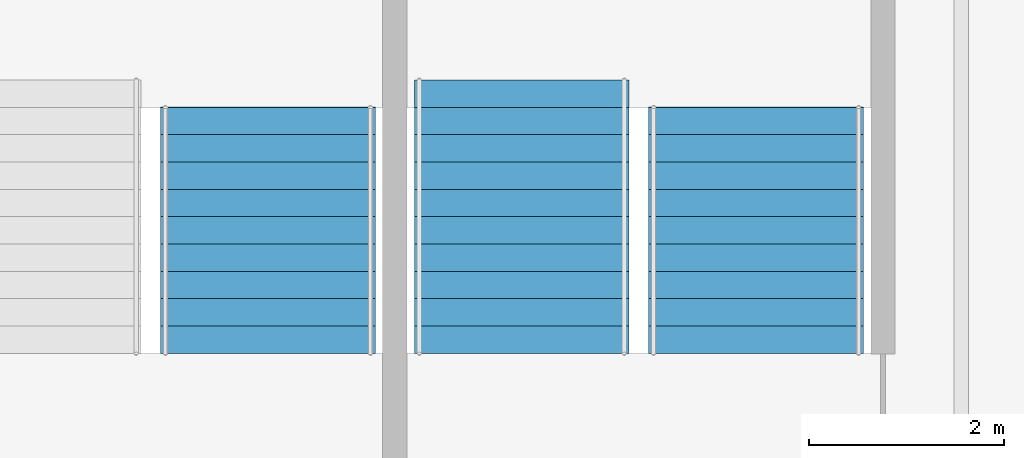
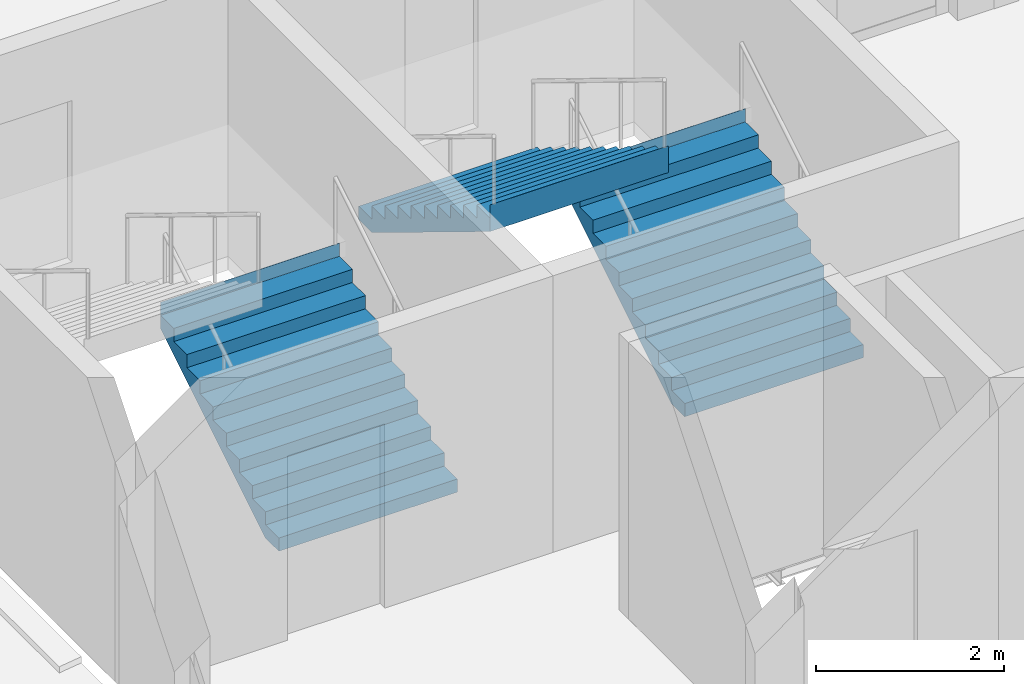
# One storey, part 95 of 143: 3 stair flights, 2 elements without a shape of their own.
"""IFC4 building model written with IfcOpenShell, lengths in metres."""

from ifc_helpers import new_model, si_unit, direction, frame, origin, place, context, subcontext, project, spatial, polyline, outline, extrude, material, type_object, element, aggregate, save


model = new_model("IFC4")

# Units and contexts
model_context = context("Model", 3, precision=1e-05, world=origin(), true_north=direction((0.0, 1.0)))
body_context = subcontext(model_context, "Body", "Model", "MODEL_VIEW")
ifc_project = project(units=[si_unit("LENGTHUNIT", "METRE"), si_unit("AREAUNIT", "SQUARE_METRE"), si_unit("VOLUMEUNIT", "CUBIC_METRE"), si_unit("PLANEANGLEUNIT", "RADIAN"), si_unit("MASSUNIT", "GRAM", prefix="KILO")], contexts=[model_context])

# Site, building, storey
site_placement = place(None, origin())
site = spatial("IfcSite", under=ifc_project, at=site_placement, CompositionType="ELEMENT")
building_placement = place(site_placement, origin())
building = spatial("IfcBuilding", under=site, at=building_placement, Name="Kupolbacken Congress Centre", CompositionType="ELEMENT")
storey_placement = place(building_placement, frame((0.0, 0.0, 7.199951171875)))
storey = spatial("IfcBuildingStorey", under=building, at=storey_placement, Name="L02", CompositionType="ELEMENT", Elevation=7.199951171875)

# Stair, stair flight
ifc_material_1 = material(Name="Concrete C30/37", Category="concrete")
stair_type = type_object("IfcStairType", Name="ST13 stair 2200", PredefinedType="TWO_STRAIGHT_RUN_STAIR", material=ifc_material_1)
stair_1_placement = place(storey_placement, origin())
stair_1 = element("IfcStair", 1, at=stair_1_placement, inside=storey, type_object=stair_type, Name="C/stair/PS1NW/L02", PredefinedType="NOTDEFINED")
ifc_material_2 = material(Name="Concrete C30/37", Category="concrete")
stair_flight_type_1 = type_object("IfcStairFlightType", Name="FL13 stair flight 2200 x 10 risers", PredefinedType="STRAIGHT", material=ifc_material_2)
stair_flight_1_placement = place(storey_placement, frame((10.89990234375, 117.2548828125, 0.0), z_axis=(0.0, 0.0, 1.0), x_axis=(0.0, 1.0, 0.0)))
stair_flight_1 = element("IfcStairFlight", 2, at=stair_flight_1_placement, type_object=stair_flight_type_1, Name="PS1NW flight 1", NumberOfRisers=10, NumberOfTreads=9, PredefinedType="STRAIGHT", RiserHeight=0.171428571, TreadLength=0.28, context=body_context, shape_type="SweptSolid", body=[
    extrude(outline(polyline([(0.0, 0.0), (0.0, 0.0009765625), (0.0, 0.002197265625), (0.0, 0.003173828125), (0.0, 0.004150390625), (0.0, 0.00537109375), (0.0, 0.00634765625), (0.0, 0.007568359375), (0.0, 0.008544921875), (0.0, 0.009521484375), (0.0, 0.0107421875), (0.0, 0.01171875), (0.0, 0.0126953125), (0.0, 0.013916015625), (0.0, 0.014892578125), (0.0, 0.015869140625), (0.0, 0.01708984375), (0.0, 0.01806640625), (0.0, 0.019287109375), (0.0, 0.020263671875), (0.0, 0.021240234375), (0.0, 0.0224609375), (0.0, 0.0234375), (0.0, 0.0244140625), (0.0, 0.025634765625), (0.0, 0.026611328125), (0.0, 0.027587890625), (0.0, 0.02880859375), (0.0, 0.02978515625), (0.0, 0.03076171875), (0.0, 0.031982421875), (0.0, 0.032958984375), (0.0, 0.0341796875), (0.0, 0.03515625), (0.0, 0.0361328125), (0.0, 0.037353515625), (0.0, 0.038330078125), (0.0, 0.039306640625), (0.0, 0.04052734375), (0.0, 0.04150390625), (0.0, 0.04248046875), (0.0, 0.043701171875), (0.0, 0.044677734375), (0.0, 0.0458984375), (0.0, 0.046875), (0.0, 0.0478515625), (0.0, 0.049072265625), (0.0, 0.050048828125), (0.0, 0.051025390625), (0.0, 0.05224609375), (0.0, 0.05322265625), (0.0, 0.05419921875), (0.0, 0.055419921875), (0.0, 0.056396484375), (0.0, 0.0576171875), (0.0, 0.05859375), (0.0, 0.0595703125), (0.0, 0.060791015625), (0.0, 0.061767578125), (0.0, 0.062744140625), (0.0, 0.06396484375), (0.0, 0.06494140625), (0.0, 0.06591796875), (0.0, 0.067138671875), (0.0, 0.068115234375), (0.0, 0.069091796875), (0.0, 0.0703125), (0.0, 0.0712890625), (0.0, 0.072509765625), (0.0, 0.073486328125), (0.0, 0.074462890625), (0.0, 0.07568359375), (0.0, 0.07666015625), (0.0, 0.07763671875), (0.0, 0.078857421875), (0.0, 0.079833984375), (0.0, 0.080810546875), (0.0, 0.08203125), (0.0, 0.0830078125), (0.0, 0.084228515625), (0.0, 0.085205078125), (0.0, 0.086181640625), (0.0, 0.08740234375), (0.0, 0.08837890625), (0.0, 0.08935546875), (0.0, 0.090576171875), (0.0, 0.091552734375), (0.0, 0.092529296875), (0.0, 0.09375), (0.0, 0.0947265625), (0.0, 0.095947265625), (0.0, 0.096923828125), (0.0, 0.097900390625), (0.0, 0.09912109375), (0.0, 0.10009765625), (0.0, 0.10107421875), (0.0, 0.102294921875), (0.0, 0.103271484375), (0.0, 0.104248046875), (0.0, 0.10546875), (0.0, 0.1064453125), (0.0, 0.107421875), (0.0, 0.108642578125), (0.0, 0.109619140625), (0.0, 0.11083984375), (0.0, 0.11181640625), (0.0, 0.11279296875), (0.0, 0.114013671875), (0.0, 0.114990234375), (0.0, 0.115966796875), (0.0, 0.1171875), (0.0, 0.1181640625), (0.0, 0.119140625), (0.0, 0.120361328125), (0.0, 0.121337890625), (0.0, 0.12255859375), (0.0, 0.12353515625), (0.0, 0.12451171875), (0.0, 0.125732421875), (0.0, 0.126708984375), (0.0, 0.127685546875), (0.0, 0.12890625), (0.0, 0.1298828125), (0.0, 0.130859375), (0.0, 0.132080078125), (0.0, 0.133056640625), (0.0, 0.13427734375), (0.0, 0.13525390625), (0.0, 0.13623046875), (0.0, 0.137451171875), (0.0, 0.138427734375), (0.0, 0.139404296875), (0.0, 0.140625), (0.0, 0.1416015625), (0.0, 0.142578125), (0.0, 0.143798828125), (0.0, 0.144775390625), (0.0, 0.145751953125), (0.0, 0.14697265625), (0.0, 0.14794921875), (0.0, 0.149169921875), (0.0, 0.150146484375), (0.0, 0.151123046875), (0.0, 0.15234375), (0.0, 0.1533203125), (0.0, 0.154296875), (0.0, 0.155517578125), (0.0, 0.156494140625), (0.0, 0.157470703125), (0.0, 0.15869140625), (0.0, 0.15966796875), (0.0, 0.160888671875), (0.0, 0.161865234375), (0.0, 0.162841796875), (0.0, 0.1640625), (0.0, 0.1650390625), (0.0, 0.166015625), (0.0, 0.167236328125), (0.0, 0.168212890625), (0.0, 0.169189453125), (0.0, 0.17041015625), (0.0, 0.17138671875), (0.280029296875, 0.17138671875), (0.280029296875, 0.3427734375), (0.56005859375, 0.3427734375), (0.56005859375, 0.514404296875), (0.840087890625, 0.514404296875), (0.840087890625, 0.685791015625), (1.1201171875, 0.685791015625), (1.1201171875, 0.857177734375), (1.39990234375, 0.857177734375), (1.39990234375, 1.028564453125), (1.679931640625, 1.028564453125), (1.679931640625, 1.199951171875), (1.9599609375, 1.199951171875), (1.9599609375, 1.371337890625), (2.239990234375, 1.371337890625), (2.239990234375, 1.54296875), (2.52001953125, 1.54296875), (2.52001953125, 1.71435546875), (2.52197265625, 1.71435546875), (2.52197265625, 1.712158203125), (2.52197265625, 1.7099609375), (2.52197265625, 1.707763671875), (2.52197265625, 1.70556640625), (2.52197265625, 1.70361328125), (2.52197265625, 1.701416015625), (2.52197265625, 1.69921875), (2.52197265625, 1.697021484375), (2.52197265625, 1.69482421875), (2.52197265625, 1.692626953125), (2.52197265625, 1.690673828125), (2.52197265625, 1.6884765625), (2.52197265625, 1.686279296875), (2.52197265625, 1.68408203125), (2.52197265625, 1.681884765625), (2.52197265625, 1.6796875), (2.52197265625, 1.677734375), (2.52197265625, 1.675537109375), (2.52197265625, 1.67333984375), (2.52197265625, 1.671142578125), (2.52197265625, 1.6689453125), (2.52197265625, 1.666748046875), (2.52197265625, 1.664794921875), (2.52197265625, 1.66259765625), (2.52197265625, 1.660400390625), (2.52197265625, 1.658203125), (2.52197265625, 1.656005859375), (2.52197265625, 1.65380859375), (2.52197265625, 1.65185546875), (2.52197265625, 1.649658203125), (2.52197265625, 1.6474609375), (2.52197265625, 1.645263671875), (2.52197265625, 1.64306640625), (2.52197265625, 1.640869140625), (2.52197265625, 1.638916015625), (2.52197265625, 1.63671875), (2.52197265625, 1.634521484375), (2.52197265625, 1.63232421875), (2.52197265625, 1.630126953125), (2.52197265625, 1.6279296875), (2.52197265625, 1.6259765625), (2.52197265625, 1.623779296875), (2.52197265625, 1.62158203125), (2.52197265625, 1.619384765625), (2.52197265625, 1.6171875), (2.52197265625, 1.614990234375), (2.52197265625, 1.613037109375), (2.52197265625, 1.61083984375), (2.52197265625, 1.608642578125), (2.52197265625, 1.6064453125), (2.52197265625, 1.604248046875), (2.52197265625, 1.60205078125), (2.52197265625, 1.60009765625), (2.52197265625, 1.597900390625), (2.52197265625, 1.595703125), (2.52197265625, 1.593505859375), (2.52197265625, 1.59130859375), (2.52197265625, 1.589111328125), (2.52197265625, 1.587158203125), (2.52197265625, 1.5849609375), (2.52197265625, 1.582763671875), (2.52197265625, 1.58056640625), (2.52197265625, 1.578369140625), (2.52197265625, 1.576171875), (2.52197265625, 1.57421875), (2.52197265625, 1.572021484375), (2.52197265625, 1.56982421875), (2.52197265625, 1.567626953125), (2.52197265625, 1.5654296875), (2.52197265625, 1.563232421875), (2.52197265625, 1.561279296875), (2.52197265625, 1.55908203125), (2.52197265625, 1.556884765625), (2.52197265625, 1.5546875), (2.52197265625, 1.552490234375), (2.52197265625, 1.55029296875), (2.52197265625, 1.54833984375), (2.52197265625, 1.546142578125), (2.52197265625, 1.5439453125), (2.52197265625, 1.541748046875), (2.52197265625, 1.53955078125), (2.52197265625, 1.537353515625), (2.52197265625, 1.535400390625), (2.52197265625, 1.533203125), (2.52197265625, 1.531005859375), (2.52197265625, 1.52880859375), (2.52197265625, 1.526611328125), (2.52197265625, 1.5244140625), (2.52197265625, 1.5224609375), (2.52197265625, 1.520263671875), (2.52197265625, 1.51806640625), (2.52197265625, 1.515869140625), (2.52197265625, 1.513671875), (2.52197265625, 1.511474609375), (2.52197265625, 1.509521484375), (2.52197265625, 1.50732421875), (2.52197265625, 1.505126953125), (2.52197265625, 1.5029296875), (2.52197265625, 1.500732421875), (2.52197265625, 1.49853515625), (2.52197265625, 1.49658203125), (2.52197265625, 1.494384765625), (2.52197265625, 1.4921875), (2.52197265625, 1.489990234375), (2.52197265625, 1.48779296875), (2.52197265625, 1.485595703125), (2.52197265625, 1.483642578125), (2.52197265625, 1.4814453125), (2.52197265625, 1.479248046875), (2.52197265625, 1.47705078125), (2.52197265625, 1.474853515625), (2.52197265625, 1.47265625), (2.52197265625, 1.470703125), (2.52197265625, 1.468505859375), (2.52197265625, 1.46630859375), (2.52197265625, 1.464111328125), (2.52197265625, 1.4619140625), (2.52197265625, 1.459716796875), (2.52197265625, 1.457763671875), (2.52197265625, 1.45556640625), (2.52197265625, 1.453369140625), (2.52197265625, 1.451171875), (2.52197265625, 1.448974609375), (2.52197265625, 1.44677734375), (2.52197265625, 1.44482421875), (2.52197265625, 1.442626953125), (2.52197265625, 1.4404296875), (2.52197265625, 1.438232421875), (2.52197265625, 1.43603515625), (2.52197265625, 1.433837890625), (2.52197265625, 1.431884765625), (2.52197265625, 1.4296875), (2.52197265625, 1.427490234375), (2.52197265625, 1.42529296875), (2.52197265625, 1.423095703125), (2.52197265625, 1.4208984375), (2.52197265625, 1.4189453125), (2.52197265625, 1.416748046875), (2.52197265625, 1.41455078125), (2.52197265625, 1.412353515625), (2.52197265625, 1.41015625), (2.52197265625, 1.407958984375), (2.52197265625, 1.406005859375), (2.52197265625, 1.40380859375), (2.52197265625, 1.401611328125), (2.52197265625, 1.3994140625), (2.52197265625, 1.397216796875), (2.52197265625, 1.39501953125), (2.52197265625, 1.39306640625), (2.52197265625, 1.390869140625), (2.52197265625, 1.388671875), (2.52197265625, 1.386474609375), (2.52197265625, 1.38427734375), (2.52197265625, 1.382080078125), (2.52197265625, 1.380126953125), (2.52197265625, 1.3779296875), (2.52197265625, 1.375732421875), (2.52197265625, 1.37353515625), (2.52197265625, 1.371337890625), (2.52197265625, 1.369140625), (2.52197265625, 1.3671875), (0.2890625, 0.0), (0.0, 0.0)])), frame((0.0, 1.10009765625, 0.0), z_axis=(0.0, -1.0, 0.0), x_axis=(1.0, 0.0, 0.0)), (0.0, 0.0, 1.0), 2.199951171875),
])
aggregate(stair_1, [stair_flight_1])

# Stair, stair flights
stair_2_placement = place(storey_placement, origin())
stair_2 = element("IfcStair", 3, at=stair_2_placement, inside=storey, type_object=stair_type, Name="C/stair/PS2NW/L02", PredefinedType="NOTDEFINED")
stair_flight_2_placement = place(storey_placement, frame((15.89990234375, 117.2548828125, 0.0), z_axis=(0.0, 0.0, 1.0), x_axis=(0.0, 1.0, 0.0)))
stair_flight_2 = element("IfcStairFlight", 4, at=stair_flight_2_placement, type_object=stair_flight_type_1, Name="PS2NW flight 1", NumberOfRisers=10, NumberOfTreads=9, PredefinedType="STRAIGHT", RiserHeight=0.171428571, TreadLength=0.28, context=body_context, shape_type="SweptSolid", body=[
    extrude(outline(polyline([(0.0, 0.0), (0.0, 0.0009765625), (0.0, 0.002197265625), (0.0, 0.003173828125), (0.0, 0.004150390625), (0.0, 0.00537109375), (0.0, 0.00634765625), (0.0, 0.007568359375), (0.0, 0.008544921875), (0.0, 0.009521484375), (0.0, 0.0107421875), (0.0, 0.01171875), (0.0, 0.0126953125), (0.0, 0.013916015625), (0.0, 0.014892578125), (0.0, 0.015869140625), (0.0, 0.01708984375), (0.0, 0.01806640625), (0.0, 0.019287109375), (0.0, 0.020263671875), (0.0, 0.021240234375), (0.0, 0.0224609375), (0.0, 0.0234375), (0.0, 0.0244140625), (0.0, 0.025634765625), (0.0, 0.026611328125), (0.0, 0.027587890625), (0.0, 0.02880859375), (0.0, 0.02978515625), (0.0, 0.03076171875), (0.0, 0.031982421875), (0.0, 0.032958984375), (0.0, 0.0341796875), (0.0, 0.03515625), (0.0, 0.0361328125), (0.0, 0.037353515625), (0.0, 0.038330078125), (0.0, 0.039306640625), (0.0, 0.04052734375), (0.0, 0.04150390625), (0.0, 0.04248046875), (0.0, 0.043701171875), (0.0, 0.044677734375), (0.0, 0.0458984375), (0.0, 0.046875), (0.0, 0.0478515625), (0.0, 0.049072265625), (0.0, 0.050048828125), (0.0, 0.051025390625), (0.0, 0.05224609375), (0.0, 0.05322265625), (0.0, 0.05419921875), (0.0, 0.055419921875), (0.0, 0.056396484375), (0.0, 0.0576171875), (0.0, 0.05859375), (0.0, 0.0595703125), (0.0, 0.060791015625), (0.0, 0.061767578125), (0.0, 0.062744140625), (0.0, 0.06396484375), (0.0, 0.06494140625), (0.0, 0.06591796875), (0.0, 0.067138671875), (0.0, 0.068115234375), (0.0, 0.069091796875), (0.0, 0.0703125), (0.0, 0.0712890625), (0.0, 0.072509765625), (0.0, 0.073486328125), (0.0, 0.074462890625), (0.0, 0.07568359375), (0.0, 0.07666015625), (0.0, 0.07763671875), (0.0, 0.078857421875), (0.0, 0.079833984375), (0.0, 0.080810546875), (0.0, 0.08203125), (0.0, 0.0830078125), (0.0, 0.084228515625), (0.0, 0.085205078125), (0.0, 0.086181640625), (0.0, 0.08740234375), (0.0, 0.08837890625), (0.0, 0.08935546875), (0.0, 0.090576171875), (0.0, 0.091552734375), (0.0, 0.092529296875), (0.0, 0.09375), (0.0, 0.0947265625), (0.0, 0.095947265625), (0.0, 0.096923828125), (0.0, 0.097900390625), (0.0, 0.09912109375), (0.0, 0.10009765625), (0.0, 0.10107421875), (0.0, 0.102294921875), (0.0, 0.103271484375), (0.0, 0.104248046875), (0.0, 0.10546875), (0.0, 0.1064453125), (0.0, 0.107421875), (0.0, 0.108642578125), (0.0, 0.109619140625), (0.0, 0.11083984375), (0.0, 0.11181640625), (0.0, 0.11279296875), (0.0, 0.114013671875), (0.0, 0.114990234375), (0.0, 0.115966796875), (0.0, 0.1171875), (0.0, 0.1181640625), (0.0, 0.119140625), (0.0, 0.120361328125), (0.0, 0.121337890625), (0.0, 0.12255859375), (0.0, 0.12353515625), (0.0, 0.12451171875), (0.0, 0.125732421875), (0.0, 0.126708984375), (0.0, 0.127685546875), (0.0, 0.12890625), (0.0, 0.1298828125), (0.0, 0.130859375), (0.0, 0.132080078125), (0.0, 0.133056640625), (0.0, 0.13427734375), (0.0, 0.13525390625), (0.0, 0.13623046875), (0.0, 0.137451171875), (0.0, 0.138427734375), (0.0, 0.139404296875), (0.0, 0.140625), (0.0, 0.1416015625), (0.0, 0.142578125), (0.0, 0.143798828125), (0.0, 0.144775390625), (0.0, 0.145751953125), (0.0, 0.14697265625), (0.0, 0.14794921875), (0.0, 0.149169921875), (0.0, 0.150146484375), (0.0, 0.151123046875), (0.0, 0.15234375), (0.0, 0.1533203125), (0.0, 0.154296875), (0.0, 0.155517578125), (0.0, 0.156494140625), (0.0, 0.157470703125), (0.0, 0.15869140625), (0.0, 0.15966796875), (0.0, 0.160888671875), (0.0, 0.161865234375), (0.0, 0.162841796875), (0.0, 0.1640625), (0.0, 0.1650390625), (0.0, 0.166015625), (0.0, 0.167236328125), (0.0, 0.168212890625), (0.0, 0.169189453125), (0.0, 0.17041015625), (0.0, 0.17138671875), (0.280029296875, 0.17138671875), (0.280029296875, 0.3427734375), (0.56005859375, 0.3427734375), (0.56005859375, 0.514404296875), (0.840087890625, 0.514404296875), (0.840087890625, 0.685791015625), (1.1201171875, 0.685791015625), (1.1201171875, 0.857177734375), (1.39990234375, 0.857177734375), (1.39990234375, 1.028564453125), (1.679931640625, 1.028564453125), (1.679931640625, 1.199951171875), (1.9599609375, 1.199951171875), (1.9599609375, 1.371337890625), (2.239990234375, 1.371337890625), (2.239990234375, 1.54296875), (2.52001953125, 1.54296875), (2.52001953125, 1.71435546875), (2.52197265625, 1.71435546875), (2.52197265625, 1.712158203125), (2.52197265625, 1.7099609375), (2.52197265625, 1.707763671875), (2.52197265625, 1.70556640625), (2.52197265625, 1.70361328125), (2.52197265625, 1.701416015625), (2.52197265625, 1.69921875), (2.52197265625, 1.697021484375), (2.52197265625, 1.69482421875), (2.52197265625, 1.692626953125), (2.52197265625, 1.690673828125), (2.52197265625, 1.6884765625), (2.52197265625, 1.686279296875), (2.52197265625, 1.68408203125), (2.52197265625, 1.681884765625), (2.52197265625, 1.6796875), (2.52197265625, 1.677734375), (2.52197265625, 1.675537109375), (2.52197265625, 1.67333984375), (2.52197265625, 1.671142578125), (2.52197265625, 1.6689453125), (2.52197265625, 1.666748046875), (2.52197265625, 1.664794921875), (2.52197265625, 1.66259765625), (2.52197265625, 1.660400390625), (2.52197265625, 1.658203125), (2.52197265625, 1.656005859375), (2.52197265625, 1.65380859375), (2.52197265625, 1.65185546875), (2.52197265625, 1.649658203125), (2.52197265625, 1.6474609375), (2.52197265625, 1.645263671875), (2.52197265625, 1.64306640625), (2.52197265625, 1.640869140625), (2.52197265625, 1.638916015625), (2.52197265625, 1.63671875), (2.52197265625, 1.634521484375), (2.52197265625, 1.63232421875), (2.52197265625, 1.630126953125), (2.52197265625, 1.6279296875), (2.52197265625, 1.6259765625), (2.52197265625, 1.623779296875), (2.52197265625, 1.62158203125), (2.52197265625, 1.619384765625), (2.52197265625, 1.6171875), (2.52197265625, 1.614990234375), (2.52197265625, 1.613037109375), (2.52197265625, 1.61083984375), (2.52197265625, 1.608642578125), (2.52197265625, 1.6064453125), (2.52197265625, 1.604248046875), (2.52197265625, 1.60205078125), (2.52197265625, 1.60009765625), (2.52197265625, 1.597900390625), (2.52197265625, 1.595703125), (2.52197265625, 1.593505859375), (2.52197265625, 1.59130859375), (2.52197265625, 1.589111328125), (2.52197265625, 1.587158203125), (2.52197265625, 1.5849609375), (2.52197265625, 1.582763671875), (2.52197265625, 1.58056640625), (2.52197265625, 1.578369140625), (2.52197265625, 1.576171875), (2.52197265625, 1.57421875), (2.52197265625, 1.572021484375), (2.52197265625, 1.56982421875), (2.52197265625, 1.567626953125), (2.52197265625, 1.5654296875), (2.52197265625, 1.563232421875), (2.52197265625, 1.561279296875), (2.52197265625, 1.55908203125), (2.52197265625, 1.556884765625), (2.52197265625, 1.5546875), (2.52197265625, 1.552490234375), (2.52197265625, 1.55029296875), (2.52197265625, 1.54833984375), (2.52197265625, 1.546142578125), (2.52197265625, 1.5439453125), (2.52197265625, 1.541748046875), (2.52197265625, 1.53955078125), (2.52197265625, 1.537353515625), (2.52197265625, 1.535400390625), (2.52197265625, 1.533203125), (2.52197265625, 1.531005859375), (2.52197265625, 1.52880859375), (2.52197265625, 1.526611328125), (2.52197265625, 1.5244140625), (2.52197265625, 1.5224609375), (2.52197265625, 1.520263671875), (2.52197265625, 1.51806640625), (2.52197265625, 1.515869140625), (2.52197265625, 1.513671875), (2.52197265625, 1.511474609375), (2.52197265625, 1.509521484375), (2.52197265625, 1.50732421875), (2.52197265625, 1.505126953125), (2.52197265625, 1.5029296875), (2.52197265625, 1.500732421875), (2.52197265625, 1.49853515625), (2.52197265625, 1.49658203125), (2.52197265625, 1.494384765625), (2.52197265625, 1.4921875), (2.52197265625, 1.489990234375), (2.52197265625, 1.48779296875), (2.52197265625, 1.485595703125), (2.52197265625, 1.483642578125), (2.52197265625, 1.4814453125), (2.52197265625, 1.479248046875), (2.52197265625, 1.47705078125), (2.52197265625, 1.474853515625), (2.52197265625, 1.47265625), (2.52197265625, 1.470703125), (2.52197265625, 1.468505859375), (2.52197265625, 1.46630859375), (2.52197265625, 1.464111328125), (2.52197265625, 1.4619140625), (2.52197265625, 1.459716796875), (2.52197265625, 1.457763671875), (2.52197265625, 1.45556640625), (2.52197265625, 1.453369140625), (2.52197265625, 1.451171875), (2.52197265625, 1.448974609375), (2.52197265625, 1.44677734375), (2.52197265625, 1.44482421875), (2.52197265625, 1.442626953125), (2.52197265625, 1.4404296875), (2.52197265625, 1.438232421875), (2.52197265625, 1.43603515625), (2.52197265625, 1.433837890625), (2.52197265625, 1.431884765625), (2.52197265625, 1.4296875), (2.52197265625, 1.427490234375), (2.52197265625, 1.42529296875), (2.52197265625, 1.423095703125), (2.52197265625, 1.4208984375), (2.52197265625, 1.4189453125), (2.52197265625, 1.416748046875), (2.52197265625, 1.41455078125), (2.52197265625, 1.412353515625), (2.52197265625, 1.41015625), (2.52197265625, 1.407958984375), (2.52197265625, 1.406005859375), (2.52197265625, 1.40380859375), (2.52197265625, 1.401611328125), (2.52197265625, 1.3994140625), (2.52197265625, 1.397216796875), (2.52197265625, 1.39501953125), (2.52197265625, 1.39306640625), (2.52197265625, 1.390869140625), (2.52197265625, 1.388671875), (2.52197265625, 1.386474609375), (2.52197265625, 1.38427734375), (2.52197265625, 1.382080078125), (2.52197265625, 1.380126953125), (2.52197265625, 1.3779296875), (2.52197265625, 1.375732421875), (2.52197265625, 1.37353515625), (2.52197265625, 1.371337890625), (2.52197265625, 1.369140625), (2.52197265625, 1.3671875), (0.2890625, 0.0), (0.0, 0.0)])), frame((0.0, 1.10009765625, 0.0), z_axis=(0.0, -1.0, 0.0), x_axis=(1.0, 0.0, 0.0)), (0.0, 0.0, 1.0), 2.199951171875),
])
ifc_material_3 = material(Name="Concrete C30/37", Category="concrete")
stair_flight_type_2 = type_object("IfcStairFlightType", Name="FL14 stair flight 2200 x 11 risers", PredefinedType="STRAIGHT", material=ifc_material_3)
stair_flight_3_placement = place(storey_placement, frame((13.5, 120.054931640625, 1.71435546875), z_axis=(0.0, 0.0, 1.0), x_axis=(0.0, -1.0, 0.0)))
stair_flight_3 = element("IfcStairFlight", 5, at=stair_flight_3_placement, type_object=stair_flight_type_2, Name="PS2NW flight 2", NumberOfRisers=11, NumberOfTreads=10, PredefinedType="STRAIGHT", RiserHeight=0.171428571, TreadLength=0.28, context=body_context, shape_type="SweptSolid", body=[
    extrude(outline(polyline([(0.0, 0.0), (0.0, 0.0009765625), (0.0, 0.002197265625), (0.0, 0.003173828125), (0.0, 0.004150390625), (0.0, 0.00537109375), (0.0, 0.00634765625), (0.0, 0.007568359375), (0.0, 0.008544921875), (0.0, 0.009521484375), (0.0, 0.0107421875), (0.0, 0.01171875), (0.0, 0.0126953125), (0.0, 0.013916015625), (0.0, 0.014892578125), (0.0, 0.015869140625), (0.0, 0.01708984375), (0.0, 0.01806640625), (0.0, 0.019287109375), (0.0, 0.020263671875), (0.0, 0.021240234375), (0.0, 0.0224609375), (0.0, 0.0234375), (0.0, 0.0244140625), (0.0, 0.025634765625), (0.0, 0.026611328125), (0.0, 0.027587890625), (0.0, 0.02880859375), (0.0, 0.02978515625), (0.0, 0.03076171875), (0.0, 0.031982421875), (0.0, 0.032958984375), (0.0, 0.0341796875), (0.0, 0.03515625), (0.0, 0.0361328125), (0.0, 0.037353515625), (0.0, 0.038330078125), (0.0, 0.039306640625), (0.0, 0.04052734375), (0.0, 0.04150390625), (0.0, 0.04248046875), (0.0, 0.043701171875), (0.0, 0.044677734375), (0.0, 0.0458984375), (0.0, 0.046875), (0.0, 0.0478515625), (0.0, 0.049072265625), (0.0, 0.050048828125), (0.0, 0.051025390625), (0.0, 0.05224609375), (0.0, 0.05322265625), (0.0, 0.05419921875), (0.0, 0.055419921875), (0.0, 0.056396484375), (0.0, 0.0576171875), (0.0, 0.05859375), (0.0, 0.0595703125), (0.0, 0.060791015625), (0.0, 0.061767578125), (0.0, 0.062744140625), (0.0, 0.06396484375), (0.0, 0.06494140625), (0.0, 0.06591796875), (0.0, 0.067138671875), (0.0, 0.068115234375), (0.0, 0.069091796875), (0.0, 0.0703125), (0.0, 0.0712890625), (0.0, 0.072509765625), (0.0, 0.073486328125), (0.0, 0.074462890625), (0.0, 0.07568359375), (0.0, 0.07666015625), (0.0, 0.07763671875), (0.0, 0.078857421875), (0.0, 0.079833984375), (0.0, 0.080810546875), (0.0, 0.08203125), (0.0, 0.0830078125), (0.0, 0.084228515625), (0.0, 0.085205078125), (0.0, 0.086181640625), (0.0, 0.08740234375), (0.0, 0.08837890625), (0.0, 0.08935546875), (0.0, 0.090576171875), (0.0, 0.091552734375), (0.0, 0.092529296875), (0.0, 0.09375), (0.0, 0.0947265625), (0.0, 0.095947265625), (0.0, 0.096923828125), (0.0, 0.097900390625), (0.0, 0.09912109375), (0.0, 0.10009765625), (0.0, 0.10107421875), (0.0, 0.102294921875), (0.0, 0.103271484375), (0.0, 0.104248046875), (0.0, 0.10546875), (0.0, 0.1064453125), (0.0, 0.107421875), (0.0, 0.108642578125), (0.0, 0.109619140625), (0.0, 0.11083984375), (0.0, 0.11181640625), (0.0, 0.11279296875), (0.0, 0.114013671875), (0.0, 0.114990234375), (0.0, 0.115966796875), (0.0, 0.1171875), (0.0, 0.1181640625), (0.0, 0.119140625), (0.0, 0.120361328125), (0.0, 0.121337890625), (0.0, 0.12255859375), (0.0, 0.12353515625), (0.0, 0.12451171875), (0.0, 0.125732421875), (0.0, 0.126708984375), (0.0, 0.127685546875), (0.0, 0.12890625), (0.0, 0.1298828125), (0.0, 0.130859375), (0.0, 0.132080078125), (0.0, 0.133056640625), (0.0, 0.13427734375), (0.0, 0.13525390625), (0.0, 0.13623046875), (0.0, 0.137451171875), (0.0, 0.138427734375), (0.0, 0.139404296875), (0.0, 0.140625), (0.0, 0.1416015625), (0.0, 0.142578125), (0.0, 0.143798828125), (0.0, 0.144775390625), (0.0, 0.145751953125), (0.0, 0.14697265625), (0.0, 0.14794921875), (0.0, 0.149169921875), (0.0, 0.150146484375), (0.0, 0.151123046875), (0.0, 0.15234375), (0.0, 0.1533203125), (0.0, 0.154296875), (0.0, 0.155517578125), (0.0, 0.156494140625), (0.0, 0.157470703125), (0.0, 0.15869140625), (0.0, 0.15966796875), (0.0, 0.160888671875), (0.0, 0.161865234375), (0.0, 0.162841796875), (0.0, 0.1640625), (0.0, 0.1650390625), (0.0, 0.166015625), (0.0, 0.167236328125), (0.0, 0.168212890625), (0.0, 0.169189453125), (0.0, 0.17041015625), (0.0, 0.17138671875), (0.280029296875, 0.17138671875), (0.280029296875, 0.3427734375), (0.56005859375, 0.3427734375), (0.56005859375, 0.514404296875), (0.840087890625, 0.514404296875), (0.840087890625, 0.685791015625), (1.1201171875, 0.685791015625), (1.1201171875, 0.857177734375), (1.39990234375, 0.857177734375), (1.39990234375, 1.028564453125), (1.679931640625, 1.028564453125), (1.679931640625, 1.199951171875), (1.9599609375, 1.199951171875), (1.9599609375, 1.371337890625), (2.239990234375, 1.371337890625), (2.239990234375, 1.54296875), (2.52001953125, 1.54296875), (2.52001953125, 1.71435546875), (2.800048828125, 1.71435546875), (2.800048828125, 1.8857421875), (2.802001953125, 1.8857421875), (2.802001953125, 1.883544921875), (2.802001953125, 1.88134765625), (2.802001953125, 1.879150390625), (2.802001953125, 1.877197265625), (2.802001953125, 1.875), (2.802001953125, 1.872802734375), (2.802001953125, 1.87060546875), (2.802001953125, 1.868408203125), (2.802001953125, 1.8662109375), (2.802001953125, 1.8642578125), (2.802001953125, 1.862060546875), (2.802001953125, 1.85986328125), (2.802001953125, 1.857666015625), (2.802001953125, 1.85546875), (2.802001953125, 1.853271484375), (2.802001953125, 1.851318359375), (2.802001953125, 1.84912109375), (2.802001953125, 1.846923828125), (2.802001953125, 1.8447265625), (2.802001953125, 1.842529296875), (2.802001953125, 1.84033203125), (2.802001953125, 1.83837890625), (2.802001953125, 1.836181640625), (2.802001953125, 1.833984375), (2.802001953125, 1.831787109375), (2.802001953125, 1.82958984375), (2.802001953125, 1.827392578125), (2.802001953125, 1.825439453125), (2.802001953125, 1.8232421875), (2.802001953125, 1.821044921875), (2.802001953125, 1.81884765625), (2.802001953125, 1.816650390625), (2.802001953125, 1.814453125), (2.802001953125, 1.8125), (2.802001953125, 1.810302734375), (2.802001953125, 1.80810546875), (2.802001953125, 1.805908203125), (2.802001953125, 1.8037109375), (2.802001953125, 1.801513671875), (2.802001953125, 1.799560546875), (2.802001953125, 1.79736328125), (2.802001953125, 1.795166015625), (2.802001953125, 1.79296875), (2.802001953125, 1.790771484375), (2.802001953125, 1.78857421875), (2.802001953125, 1.78662109375), (2.802001953125, 1.784423828125), (2.802001953125, 1.7822265625), (2.802001953125, 1.780029296875), (2.802001953125, 1.77783203125), (2.802001953125, 1.775634765625), (2.802001953125, 1.773681640625), (2.802001953125, 1.771484375), (2.802001953125, 1.769287109375), (2.802001953125, 1.76708984375), (2.802001953125, 1.764892578125), (2.802001953125, 1.7626953125), (2.802001953125, 1.7607421875), (2.802001953125, 1.758544921875), (2.802001953125, 1.75634765625), (2.802001953125, 1.754150390625), (2.802001953125, 1.751953125), (2.802001953125, 1.749755859375), (2.802001953125, 1.747802734375), (2.802001953125, 1.74560546875), (2.802001953125, 1.743408203125), (2.802001953125, 1.7412109375), (2.802001953125, 1.739013671875), (2.802001953125, 1.73681640625), (2.802001953125, 1.73486328125), (2.802001953125, 1.732666015625), (2.802001953125, 1.73046875), (2.802001953125, 1.728271484375), (2.802001953125, 1.72607421875), (2.802001953125, 1.723876953125), (2.802001953125, 1.721923828125), (2.802001953125, 1.7197265625), (2.802001953125, 1.717529296875), (2.802001953125, 1.71533203125), (2.802001953125, 1.713134765625), (2.802001953125, 1.7109375), (2.802001953125, 1.708984375), (2.802001953125, 1.706787109375), (2.802001953125, 1.70458984375), (2.802001953125, 1.702392578125), (2.802001953125, 1.7001953125), (2.802001953125, 1.697998046875), (2.802001953125, 1.696044921875), (2.802001953125, 1.69384765625), (2.802001953125, 1.691650390625), (2.802001953125, 1.689453125), (2.802001953125, 1.687255859375), (2.802001953125, 1.68505859375), (2.802001953125, 1.68310546875), (2.802001953125, 1.680908203125), (2.802001953125, 1.6787109375), (2.802001953125, 1.676513671875), (2.802001953125, 1.67431640625), (2.802001953125, 1.672119140625), (2.802001953125, 1.670166015625), (2.802001953125, 1.66796875), (2.802001953125, 1.665771484375), (2.802001953125, 1.66357421875), (2.802001953125, 1.661376953125), (2.802001953125, 1.6591796875), (2.802001953125, 1.6572265625), (2.802001953125, 1.655029296875), (2.802001953125, 1.65283203125), (2.802001953125, 1.650634765625), (2.802001953125, 1.6484375), (2.802001953125, 1.646240234375), (2.802001953125, 1.644287109375), (2.802001953125, 1.64208984375), (2.802001953125, 1.639892578125), (2.802001953125, 1.6376953125), (2.802001953125, 1.635498046875), (2.802001953125, 1.63330078125), (2.802001953125, 1.63134765625), (2.802001953125, 1.629150390625), (2.802001953125, 1.626953125), (2.802001953125, 1.624755859375), (2.802001953125, 1.62255859375), (2.802001953125, 1.620361328125), (2.802001953125, 1.618408203125), (2.802001953125, 1.6162109375), (2.802001953125, 1.614013671875), (2.802001953125, 1.61181640625), (2.802001953125, 1.609619140625), (2.802001953125, 1.607421875), (2.802001953125, 1.60546875), (2.802001953125, 1.603271484375), (2.802001953125, 1.60107421875), (2.802001953125, 1.598876953125), (2.802001953125, 1.5966796875), (2.802001953125, 1.594482421875), (2.802001953125, 1.592529296875), (2.802001953125, 1.59033203125), (2.802001953125, 1.588134765625), (2.802001953125, 1.5859375), (2.802001953125, 1.583740234375), (2.802001953125, 1.58154296875), (2.802001953125, 1.57958984375), (2.802001953125, 1.577392578125), (2.802001953125, 1.5751953125), (2.802001953125, 1.572998046875), (2.802001953125, 1.57080078125), (2.802001953125, 1.568603515625), (2.802001953125, 1.566650390625), (2.802001953125, 1.564453125), (2.802001953125, 1.562255859375), (2.802001953125, 1.56005859375), (2.802001953125, 1.557861328125), (2.802001953125, 1.5556640625), (2.802001953125, 1.5537109375), (2.802001953125, 1.551513671875), (2.802001953125, 1.54931640625), (2.802001953125, 1.547119140625), (2.802001953125, 1.544921875), (2.802001953125, 1.542724609375), (2.802001953125, 1.540771484375), (2.802001953125, 1.53857421875), (0.2890625, 0.0), (0.0, 0.0)])), frame((0.0, 1.10009765625, 0.0), z_axis=(0.0, -1.0, 0.0), x_axis=(1.0, 0.0, 0.0)), (0.0, 0.0, 1.0), 2.199951171875),
])
aggregate(stair_2, [stair_flight_2, stair_flight_3])

save(model, "model.ifc")
